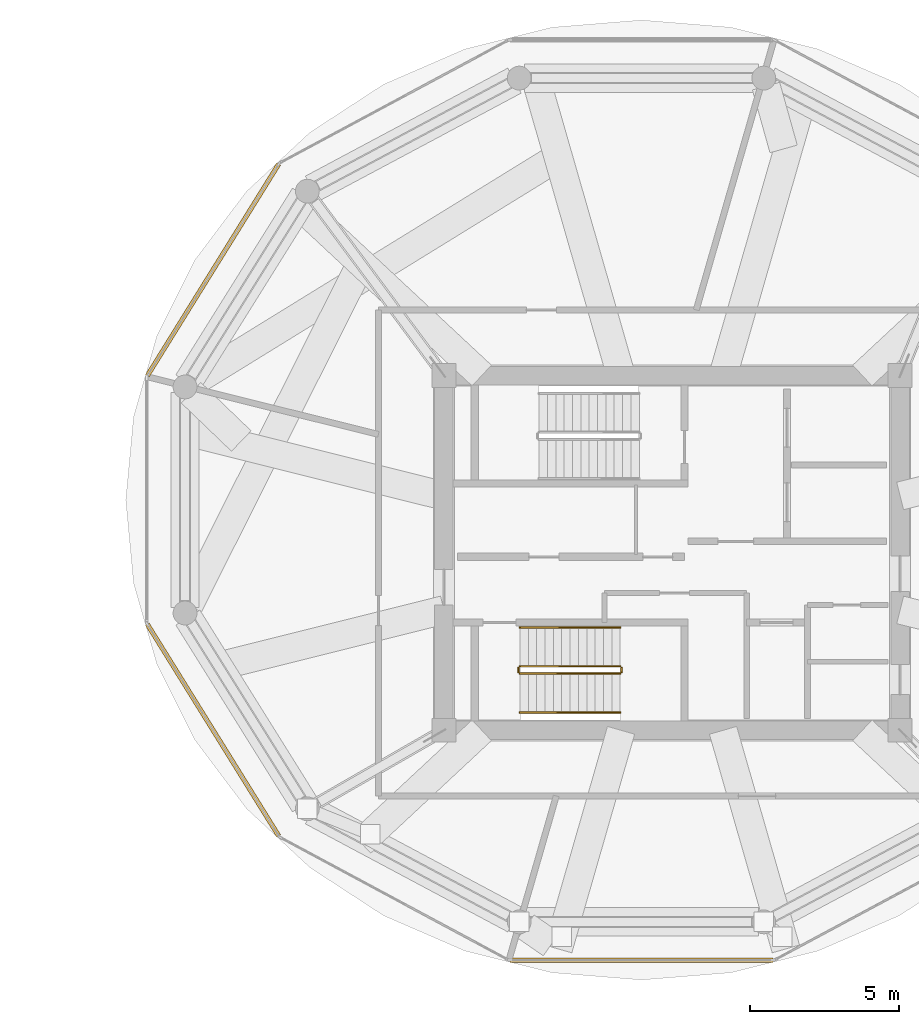
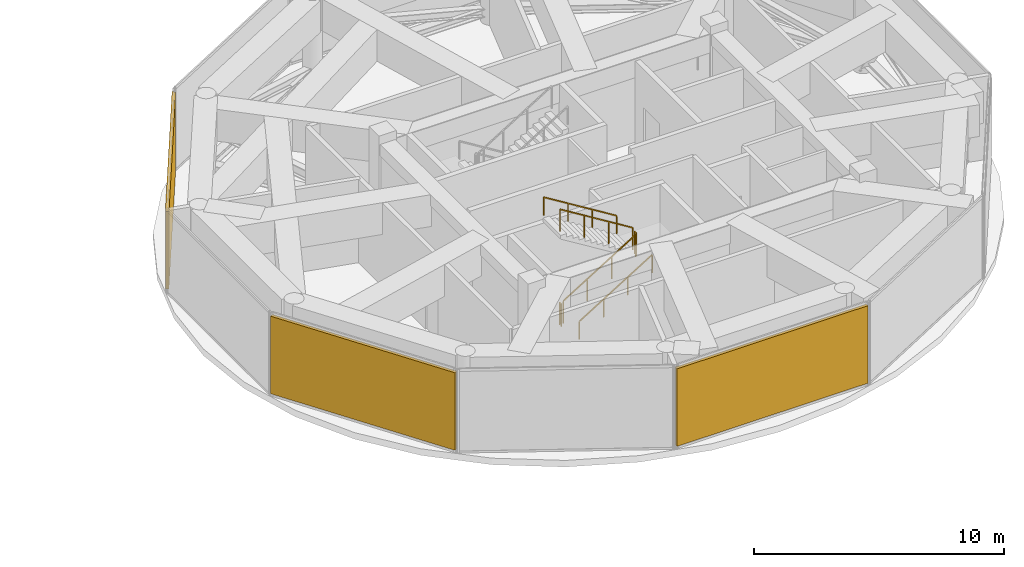
# One storey, part 19 of 20: 6 railings, 3 shading devices.
"""IFC4 building model written with IfcOpenShell, lengths in metres."""

from ifc_helpers import new_model, si_unit, direction, frame, origin, origin_2d, place, context, subcontext, project, spatial, rectangle, extrude, source, transform, mapped, material, type_object, type_shapes, element, save


model = new_model("IFC4")

# Units and contexts
model_context = context("Model", 3, precision=1e-05, world=origin(), true_north=direction((0.0, 1.0)))
body_context = subcontext(model_context, "Body", "Model", "MODEL_VIEW")
ifc_project = project(units=[si_unit("LENGTHUNIT", "METRE"), si_unit("AREAUNIT", "SQUARE_METRE"), si_unit("VOLUMEUNIT", "CUBIC_METRE"), si_unit("PLANEANGLEUNIT", "RADIAN"), si_unit("MASSUNIT", "GRAM", prefix="KILO")], contexts=[model_context])

# Site, building, storey
site_placement = place(None, origin())
site = spatial("IfcSite", under=ifc_project, at=site_placement, CompositionType="ELEMENT")
building_placement = place(site_placement, origin())
building = spatial("IfcBuilding", under=site, at=building_placement, Name="Norrkilde Senior Care Towers", CompositionType="ELEMENT")
storey_placement = place(building_placement, frame((0.0, 0.0, 186.14990234375)))
storey = spatial("IfcBuildingStorey", under=building, at=storey_placement, Name="L58", CompositionType="ELEMENT", Elevation=186.14990234375)

# Railings
ifc_material_1 = material(Name="Stainless Steel", Category="steel")
railing_type_1 = type_object("IfcRailingType", Name="Stair and Terrace Guardrail 1100", PredefinedType="GUARDRAIL", material=ifc_material_1)
railing_1_placement = place(storey_placement, frame((22.89990234375, -4.050048828125, 0.173095703125)))
element("IfcRailing", 1, at=railing_1_placement, inside=storey, type_object=railing_type_1, Name="L58 ST-E2 stair guard 1", PredefinedType="GUARDRAIL", context=body_context, shape_type="SweptSolid", body=[
    extrude(rectangle(XDim=0.048095703125, YDim=0.048095703125, at=origin_2d()), frame((0.0, 0.0, 1.076171875), z_axis=(0.850623216509, 0.0, 0.525775754039), x_axis=(0.0, 1.0, 0.0)), (0.0, 0.0, 1.0), 3.9501953125),
    extrude(rectangle(XDim=0.0419921875, YDim=0.0419921875, at=origin_2d()), origin(), (0.0, 0.0, 1.0), 1.050048828125),
    extrude(rectangle(XDim=0.0419921875, YDim=0.0419921875, at=origin_2d()), frame((1.1201171875, 0.0, 0.6923828125)), (0.0, 0.0, 1.0), 1.050048828125),
    extrude(rectangle(XDim=0.0419921875, YDim=0.0419921875, at=origin_2d()), frame((2.239990234375, 0.0, 1.384521484375)), (0.0, 0.0, 1.0), 1.050048828125),
    extrude(rectangle(XDim=0.0419921875, YDim=0.0419921875, at=origin_2d()), frame((3.360107421875, 0.0, 2.076904296875)), (0.0, 0.0, 1.0), 1.050048828125),
])
railing_2_placement = place(storey_placement, frame((26.31005859375, -4.0, 2.25)))
element("IfcRailing", 2, at=railing_2_placement, inside=storey, type_object=railing_type_1, Name="L58 ST-E2 stair guard 2", PredefinedType="GUARDRAIL", context=body_context, shape_type="SweptSolid", body=[
    extrude(rectangle(XDim=0.048095703125, YDim=0.048095703125, at=origin_2d()), frame((0.0, 0.0, 1.076171875), z_axis=(0.0, 1.0, 0.0), x_axis=(-1.0, 0.0, 0.0)), (0.0, 0.0, 1.0), 0.14990234375),
    extrude(rectangle(XDim=0.0419921875, YDim=0.0419921875, at=origin_2d()), origin(), (0.0, 0.0, 1.0), 1.050048828125),
    extrude(rectangle(XDim=0.0419921875, YDim=0.0419921875, at=origin_2d()), frame((0.0, 0.14990234375, 0.0)), (0.0, 0.0, 1.0), 1.050048828125),
])
railing_3_placement = place(storey_placement, frame((26.260009765625, -3.800048828125, 2.423095703125)))
element("IfcRailing", 3, at=railing_3_placement, inside=storey, type_object=railing_type_1, Name="L58 ST-E2 stair guard 3", PredefinedType="GUARDRAIL", context=body_context, shape_type="SweptSolid", body=[
    extrude(rectangle(XDim=0.048095703125, YDim=0.048095703125, at=origin_2d()), frame((0.0, 0.0, 1.076171875), z_axis=(-0.850623216509, 0.0, 0.525775754039), x_axis=(0.0, -1.0, 0.0)), (0.0, 0.0, 1.0), 3.9501953125),
    extrude(rectangle(XDim=0.0419921875, YDim=0.0419921875, at=origin_2d()), origin(), (0.0, 0.0, 1.0), 1.050048828125),
    extrude(rectangle(XDim=0.0419921875, YDim=0.0419921875, at=origin_2d()), frame((-1.1201171875, 0.0, 0.6923828125)), (0.0, 0.0, 1.0), 1.050048828125),
    extrude(rectangle(XDim=0.0419921875, YDim=0.0419921875, at=origin_2d()), frame((-2.239990234375, 0.0, 1.384521484375)), (0.0, 0.0, 1.0), 1.050048828125),
    extrude(rectangle(XDim=0.0419921875, YDim=0.0419921875, at=origin_2d()), frame((-3.360107421875, 0.0, 2.076904296875)), (0.0, 0.0, 1.0), 1.050048828125),
])
railing_4_placement = place(storey_placement, frame((22.85009765625, -4.0, 0.0)))
element("IfcRailing", 4, at=railing_4_placement, inside=storey, type_object=railing_type_1, Name="L58 ST-E2 stair guard 4", PredefinedType="GUARDRAIL", context=body_context, shape_type="SweptSolid", body=[
    extrude(rectangle(XDim=0.048095703125, YDim=0.048095703125, at=origin_2d()), frame((0.0, 0.0, 1.076171875), z_axis=(0.0, 1.0, 0.0), x_axis=(-1.0, 0.0, 0.0)), (0.0, 0.0, 1.0), 0.14990234375),
    extrude(rectangle(XDim=0.0419921875, YDim=0.0419921875, at=origin_2d()), origin(), (0.0, 0.0, 1.0), 1.050048828125),
    extrude(rectangle(XDim=0.0419921875, YDim=0.0419921875, at=origin_2d()), frame((0.0, 0.14990234375, 0.0)), (0.0, 0.0, 1.0), 1.050048828125),
])
ifc_material_2 = material(Name="Nordic Ash Timber", Category="wood")
railing_type_2 = type_object("IfcRailingType", Name="Wall and Stair Handrail 900", PredefinedType="HANDRAIL", material=ifc_material_2)
railing_5_placement = place(storey_placement, frame((22.89990234375, -5.35009765625, 0.173095703125)))
element("IfcRailing", 5, at=railing_5_placement, inside=storey, type_object=railing_type_2, Name="L58 ST-E2 stair handrail 1", PredefinedType="HANDRAIL", context=body_context, shape_type="SweptSolid", body=[
    extrude(rectangle(XDim=0.048095703125, YDim=0.048095703125, at=origin_2d()), frame((0.0, 0.0, 0.8759765625), z_axis=(0.850623216509, 0.0, 0.525775754039), x_axis=(0.0, 1.0, 0.0)), (0.0, 0.0, 1.0), 3.9501953125),
    extrude(rectangle(XDim=0.0419921875, YDim=0.0419921875, at=origin_2d()), origin(), (0.0, 0.0, 1.0), 0.849853515625),
    extrude(rectangle(XDim=0.0419921875, YDim=0.0419921875, at=origin_2d()), frame((1.1201171875, 0.0, 0.6923828125)), (0.0, 0.0, 1.0), 0.849853515625),
    extrude(rectangle(XDim=0.0419921875, YDim=0.0419921875, at=origin_2d()), frame((2.239990234375, 0.0, 1.384521484375)), (0.0, 0.0, 1.0), 0.849853515625),
    extrude(rectangle(XDim=0.0419921875, YDim=0.0419921875, at=origin_2d()), frame((3.360107421875, 0.0, 2.076904296875)), (0.0, 0.0, 1.0), 0.849853515625),
])
railing_6_placement = place(storey_placement, frame((26.260009765625, -2.5, 2.423095703125)))
element("IfcRailing", 6, at=railing_6_placement, inside=storey, type_object=railing_type_2, Name="L58 ST-E2 stair handrail 2", PredefinedType="HANDRAIL", context=body_context, shape_type="SweptSolid", body=[
    extrude(rectangle(XDim=0.048095703125, YDim=0.048095703125, at=origin_2d()), frame((0.0, 0.0, 0.8759765625), z_axis=(-0.850623216509, 0.0, 0.525775754039), x_axis=(0.0, -1.0, 0.0)), (0.0, 0.0, 1.0), 3.9501953125),
    extrude(rectangle(XDim=0.0419921875, YDim=0.0419921875, at=origin_2d()), origin(), (0.0, 0.0, 1.0), 0.849853515625),
    extrude(rectangle(XDim=0.0419921875, YDim=0.0419921875, at=origin_2d()), frame((-1.1201171875, 0.0, 0.6923828125)), (0.0, 0.0, 1.0), 0.849853515625),
    extrude(rectangle(XDim=0.0419921875, YDim=0.0419921875, at=origin_2d()), frame((-2.239990234375, 0.0, 1.384521484375)), (0.0, 0.0, 1.0), 0.849853515625),
    extrude(rectangle(XDim=0.0419921875, YDim=0.0419921875, at=origin_2d()), frame((-3.360107421875, 0.0, 2.076904296875)), (0.0, 0.0, 1.0), 0.849853515625),
])

# Shading devices
ifc_material_3 = material(Name="Anodised Aluminium", Category="aluminium")
shading_device_type = type_object("IfcShadingDeviceType", Name="Plant and Crown Acoustic Louvre Screen", PredefinedType="JALOUSIE", material=ifc_material_3)
shared_shape_1 = source(origin(), body_context, "Body", "SweptSolid", [
    extrude(rectangle(XDim=8.351318359375, YDim=0.14990234375, at=origin_2d()), origin(), (0.0, 0.0, 1.0), 3.780029296875),
])
for number, where, z_axis, x_axis, name in (
    (7, (12.603759765625, 9.4931640625, 0.14990234375), (0.0, 0.0, 1.0), (0.52737270789, 0.84963405474, 0.0), "L58 Plant Acoustic Louvre Screen E-04"),
    (8, (12.603759765625, -5.9423828125, 0.14990234375), (0.0, 0.0, 1.0), (-0.52737270789, 0.84963405474, 0.0), "L58 Plant Acoustic Louvre Screen E-06"),
):
    element("IfcShadingDevice", number, at=place(storey_placement, frame(where, z_axis=z_axis, x_axis=x_axis)), inside=storey, type_object=shading_device_type, Name=name, PredefinedType="JALOUSIE", context=body_context, shape_type="MappedRepresentation", body=[
        mapped(shared_shape_1, transform((0.0, 0.0, 0.0), x_axis=(1.0, 0.0, 0.0), y_axis=(0.0, 1.0, 0.0), z_axis=(0.0, 0.0, 1.0), scale=1.0)),
    ])
shared_shape_2 = source(origin(), body_context, "Body", "SweptSolid", [
    extrude(rectangle(XDim=8.81298828125, YDim=0.14990234375, at=origin_2d()), origin(), (0.0, 0.0, 1.0), 3.780029296875),
])
type_shapes(shading_device_type, [shared_shape_1, shared_shape_2])
shading_device_placement = place(storey_placement, frame((26.97509765625, -13.66015625, 0.14990234375), z_axis=(0.0, 0.0, 1.0), x_axis=(-1.0, 0.0, 0.0)))
element("IfcShadingDevice", 9, at=shading_device_placement, inside=storey, type_object=shading_device_type, Name="L58 Plant Acoustic Louvre Screen E-08", PredefinedType="JALOUSIE", context=body_context, shape_type="MappedRepresentation", body=[
    mapped(shared_shape_2, transform((0.0, 0.0, 0.0), x_axis=(1.0, 0.0, 0.0), y_axis=(0.0, 1.0, 0.0), z_axis=(0.0, 0.0, 1.0), scale=1.0)),
])

save(model, "model.ifc")
